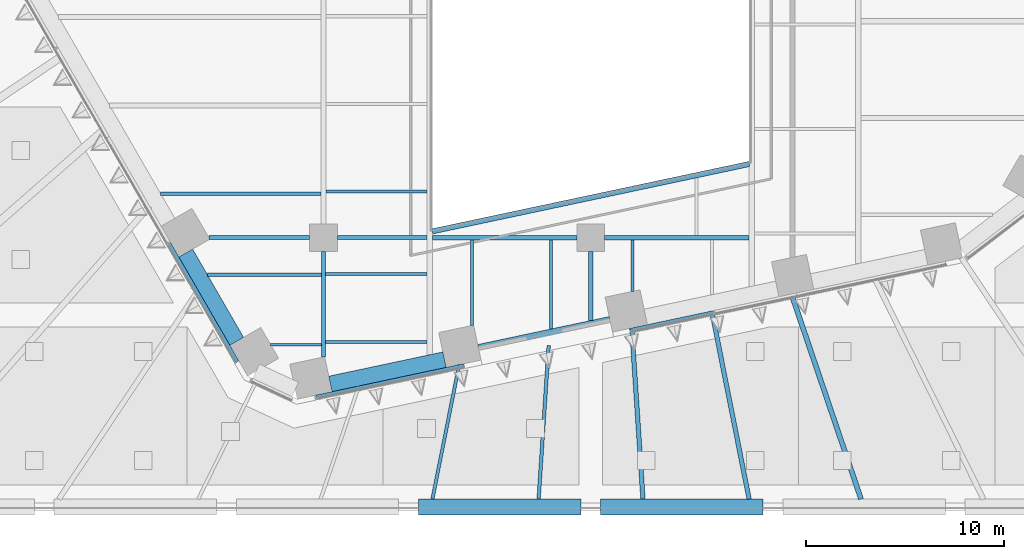
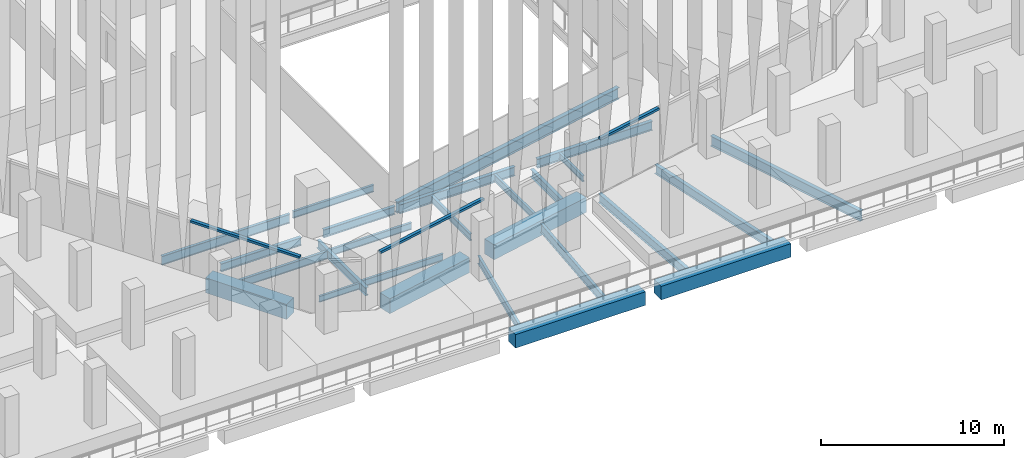
# One storey, part 4 of 51: 26 beams, 3 members, 2 elements without a shape of their own.
"""IFC4 building model written with IfcOpenShell, lengths in metres."""

from ifc_helpers import new_model, si_unit, direction, frame, origin, origin_2d, place, context, subcontext, project, spatial, rectangle, i_section, extrude, material, layer, layer_set, material_profile, profile_set, type_object, element, aggregate, save


model = new_model("IFC4")

# Units and contexts
model_context = context("Model", 3, precision=1e-05, world=origin(), true_north=direction((0.0, 1.0)))
body_context = subcontext(model_context, "Body", "Model", "MODEL_VIEW")
ifc_project = project(units=[si_unit("LENGTHUNIT", "METRE"), si_unit("AREAUNIT", "SQUARE_METRE"), si_unit("VOLUMEUNIT", "CUBIC_METRE"), si_unit("PLANEANGLEUNIT", "RADIAN"), si_unit("MASSUNIT", "GRAM", prefix="KILO")], contexts=[model_context])

# Site, building, storey
site_placement = place(None, origin())
site = spatial("IfcSite", under=ifc_project, at=site_placement, CompositionType="ELEMENT")
building_placement = place(site_placement, origin())
building = spatial("IfcBuilding", under=site, at=building_placement, Name="Isthmus Gate Tower", CompositionType="ELEMENT")
storey_placement = place(building_placement, frame((0.0, 0.0, 36.0)))
storey = spatial("IfcBuildingStorey", under=building, at=storey_placement, Name="L06", CompositionType="ELEMENT", Elevation=36.0)

# Curtain wall, member
ifc_material_1 = material(Name="Aluminium, pale champagne anodised", Category="aluminium")
ifc_layer = layer(ifc_material_1, 0.199951171875)
ifc_layer_set = layer_set([ifc_layer], Name="CW-1 UNITISED CURTAIN WALL 200 DEEP")
curtain_wall_type = type_object("IfcCurtainWallType", Name="CW-1 UNITISED CURTAIN WALL 200 DEEP", PredefinedType="NOTDEFINED", material=ifc_layer_set)
curtain_wall_1_placement = place(storey_placement, origin())
curtain_wall_1 = element("IfcCurtainWall", 1, at=curtain_wall_1_placement, inside=storey, type_object=curtain_wall_type, Name="CW-1 SW L06", PredefinedType="NOTDEFINED")
ifc_material_2 = material(Name="Aluminium, pale champagne anodised", Category="aluminium")
ifc_material_profile_1 = material_profile(ifc_material_2, rectangle(XDim=0.199951171875, YDim=0.14990234375, at=origin_2d()), Name="200x150")
ifc_profile_set_1 = profile_set([ifc_material_profile_1], Name="Aluminium, pale champagne anodised")
member_type = type_object("IfcMemberType", Name="CW-1 TRANSOM 200 X 150", PredefinedType="USERDEFINED", material=ifc_profile_set_1)
member_1_placement = place(storey_placement, frame((-21.302978515625, -27.302001953125, 3.574951171875), z_axis=(0.499980345582, -0.86603675097, 0.0), x_axis=(0.86603675097, 0.499980345582, 0.0)))
member_1 = element("IfcMember", 2, at=member_1_placement, type_object=member_type, Name="CW-1 transom", ObjectType="TRANSOM", PredefinedType="USERDEFINED", context=body_context, shape_type="SweptSolid", body=[
    extrude(rectangle(XDim=0.199951171875, YDim=0.14990234375, at=origin_2d()), origin(), (0.0, 0.0, 1.0), 6.883544921875),
])
aggregate(curtain_wall_1, [member_1])

# Curtain wall, members
curtain_wall_2_placement = place(storey_placement, origin())
curtain_wall_2 = element("IfcCurtainWall", 3, at=curtain_wall_2_placement, inside=storey, type_object=curtain_wall_type, Name="CW-1 S L06", PredefinedType="NOTDEFINED")
member_2_placement = place(storey_placement, frame((-13.86572265625, -35.049560546875, 3.574951171875), z_axis=(0.978149009137, 0.20790506469, 0.0), x_axis=(-0.20790506469, 0.978149009137, 0.0)))
member_2 = element("IfcMember", 4, at=member_2_placement, type_object=member_type, Name="CW-1 transom", ObjectType="TRANSOM", PredefinedType="USERDEFINED", context=body_context, shape_type="SweptSolid", body=[
    extrude(rectangle(XDim=0.199951171875, YDim=0.14990234375, at=origin_2d()), origin(), (0.0, 0.0, 1.0), 7.62939453125),
])
member_3_placement = place(storey_placement, frame((1.99853515625, -31.677490234375, 3.574951171875), z_axis=(0.97813890815, 0.207952582007, 0.0), x_axis=(-0.207952582007, 0.97813890815, 0.0)))
member_3 = element("IfcMember", 5, at=member_3_placement, type_object=member_type, Name="CW-1 transom", ObjectType="TRANSOM", PredefinedType="USERDEFINED", context=body_context, shape_type="SweptSolid", body=[
    extrude(rectangle(XDim=0.199951171875, YDim=0.14990234375, at=origin_2d()), origin(), (0.0, 0.0, 1.0), 4.294677734375),
])
aggregate(curtain_wall_2, [member_2, member_3])

# Beams
ifc_material_3 = material(Name="Concrete f'c 70 MPa", Category="concrete")
ifc_material_profile_2 = material_profile(ifc_material_3, rectangle(XDim=0.800048828125, YDim=0.89990234375, at=origin_2d()), Name="RC 800X900")
ifc_profile_set_2 = profile_set([ifc_material_profile_2], Name="Concrete f'c 70 MPa")
beam_type_1 = type_object("IfcBeamType", Name="RC EDGE BEAM 800 X 900", PredefinedType="BEAM", material=ifc_profile_set_2)
for number, where, z_axis, x_axis, name in (
    (6, (8.699951171875, -40.60009765625, -0.60009765625), (-1.0, 0.0, 0.0), (0.0, -1.0, 0.0), "str-edgebeam-L06-32"),
    (7, (-0.5, -40.60009765625, -0.60009765625), (-1.0, 0.0, 0.0), (0.0, -1.0, 0.0), "str-edgebeam-L06-33"),
):
    element("IfcBeam", number, at=place(storey_placement, frame(where, z_axis=z_axis, x_axis=x_axis)), inside=storey, type_object=beam_type_1, Name=name, PredefinedType="BEAM", context=body_context, shape_type="SweptSolid", body=[
        extrude(rectangle(XDim=0.800048828125, YDim=0.89990234375, at=origin_2d()), origin(), (0.0, 0.0, 1.0), 8.199951171875),
    ])
ifc_material_4 = material(Name="Concrete f'c 70 MPa", Category="concrete")
ifc_material_profile_3 = material_profile(ifc_material_4, rectangle(XDim=0.800048828125, YDim=1.0, at=origin_2d()), Name="RC 800X1000")
ifc_profile_set_3 = profile_set([ifc_material_profile_3], Name="Concrete f'c 70 MPa")
beam_type_2 = type_object("IfcBeamType", Name="RC SPANDREL 800 X 1000", PredefinedType="SPANDREL", material=ifc_profile_set_3)
beam_1_placement = place(storey_placement, frame((1.01416015625, -31.37548828125, -0.5), z_axis=(-0.978145779981, -0.207920256603, 0.0), x_axis=(0.207920256603, -0.978145779981, 0.0)))
element("IfcBeam", 8, at=beam_1_placement, inside=storey, type_object=beam_type_2, Name="str-spandrel-L06-12", PredefinedType="SPANDREL", context=body_context, shape_type="SweptSolid", body=[
    extrude(rectangle(XDim=0.800048828125, YDim=1.0, at=origin_2d()), origin(), (0.0, 0.0, 1.0), 6.789306640625),
])
beam_2_placement = place(storey_placement, frame((-7.387451171875, -33.161376953125, -0.5), z_axis=(-0.978149894464, -0.207900899374, 0.0), x_axis=(0.207900899374, -0.978149894464, 0.0)))
element("IfcBeam", 9, at=beam_2_placement, inside=storey, type_object=beam_type_2, Name="str-spandrel-L06-13", PredefinedType="SPANDREL", context=body_context, shape_type="SweptSolid", body=[
    extrude(rectangle(XDim=0.800048828125, YDim=1.0, at=origin_2d()), origin(), (0.0, 0.0, 1.0), 5.88916015625),
])
beam_3_placement = place(storey_placement, frame((-17.878173828125, -32.23388671875, -0.5), z_axis=(-0.500044296292, 0.865999827798, 0.0), x_axis=(-0.865999827798, -0.500044296292, 0.0)))
element("IfcBeam", 10, at=beam_3_placement, inside=storey, type_object=beam_type_2, Name="str-spandrel-L06-15", PredefinedType="SPANDREL", context=body_context, shape_type="SweptSolid", body=[
    extrude(rectangle(XDim=0.800048828125, YDim=1.0, at=origin_2d()), origin(), (0.0, 0.0, 1.0), 5.1435546875),
])
ifc_material_5 = material(Name="Structural steel ASTM A992 Gr 50", Category="steel")
ifc_material_profile_4 = material_profile(ifc_material_5, i_section(OverallWidth=0.1396484375, OverallDepth=0.4033203125, WebThickness=0.00634765625, FlangeThickness=0.010986328125, at=origin_2d()), Name="W16X31")
ifc_profile_set_4 = profile_set([ifc_material_profile_4], Name="Structural steel ASTM A992 Gr 50")
beam_type_3 = type_object("IfcBeamType", Name="STEEL FLOOR BEAM W16X31", PredefinedType="JOIST", material=ifc_profile_set_4)
beam_4_placement = place(storey_placement, frame((-16.162353515625, -32.406005859375, -0.3515625), z_axis=(1.0, 0.0, 0.0), x_axis=(0.0, 1.0, 0.0)))
element("IfcBeam", 11, at=beam_4_placement, inside=storey, type_object=beam_type_3, Name="str-beam-L06-09-00", PredefinedType="JOIST", context=body_context, shape_type="SweptSolid", body=[
    extrude(i_section(OverallWidth=0.1396484375, OverallDepth=0.4033203125, WebThickness=0.00634765625, FlangeThickness=0.010986328125, at=origin_2d()), origin(), (0.0, 0.0, 1.0), 2.5576171875),
])
beam_5_placement = place(storey_placement, frame((2.111572265625, -29.7109375, -0.3515625), z_axis=(0.0, 1.0, 0.0), x_axis=(-1.0, 0.0, 0.0)))
element("IfcBeam", 12, at=beam_5_placement, inside=storey, type_object=beam_type_3, Name="str-beam-L06-18-00", PredefinedType="JOIST", context=body_context, shape_type="SweptSolid", body=[
    extrude(i_section(OverallWidth=0.1396484375, OverallDepth=0.4033203125, WebThickness=0.00634765625, FlangeThickness=0.010986328125, at=origin_2d()), origin(), (0.0, 0.0, 1.0), 2.5966796875),
])
ifc_material_6 = material(Name="Structural steel ASTM A992 Gr 50", Category="steel")
ifc_material_profile_5 = material_profile(ifc_material_6, i_section(OverallWidth=0.15234375, OverallDepth=0.45068359375, WebThickness=0.0078125, FlangeThickness=0.010986328125, at=origin_2d()), Name="W18X35")
ifc_profile_set_5 = profile_set([ifc_material_profile_5], Name="Structural steel ASTM A992 Gr 50")
beam_type_4 = type_object("IfcBeamType", Name="STEEL FLOOR BEAM W18X35", PredefinedType="JOIST", material=ifc_profile_set_5)
for number, where, z_axis, x_axis, name in (
    (13, (-13.395263671875, -32.27197265625, -0.37548828125), (1.0, 0.0, 0.0), (0.0, 1.0, 0.0), "str-beam-L06-10-00"),
    (14, (-13.395263671875, -28.8271484375, -0.37548828125), (1.0, 0.0, 0.0), (0.0, 1.0, 0.0), "str-beam-L06-10-01"),
):
    element("IfcBeam", number, at=place(storey_placement, frame(where, z_axis=z_axis, x_axis=x_axis)), inside=storey, type_object=beam_type_4, Name=name, PredefinedType="JOIST", context=body_context, shape_type="SweptSolid", body=[
        extrude(i_section(OverallWidth=0.15234375, OverallDepth=0.45068359375, WebThickness=0.0078125, FlangeThickness=0.010986328125, at=origin_2d()), origin(), (0.0, 0.0, 1.0), 5.128662109375),
    ])
beam_6_placement = place(storey_placement, frame((-13.3681640625, -24.68017578125, -0.37548828125), z_axis=(1.0, 0.0, 0.0), x_axis=(0.0, 1.0, 0.0)))
element("IfcBeam", 15, at=beam_6_placement, inside=storey, type_object=beam_type_4, Name="str-beam-L06-12-00", PredefinedType="JOIST", context=body_context, shape_type="SweptSolid", body=[
    extrude(i_section(OverallWidth=0.15234375, OverallDepth=0.45068359375, WebThickness=0.0078125, FlangeThickness=0.010986328125, at=origin_2d()), origin(), (0.0, 0.0, 1.0), 5.1015625),
])
beam_7_placement = place(storey_placement, frame((-6.0, -31.43505859375, -0.37548828125), z_axis=(0.0, 1.0, 0.0), x_axis=(-1.0, 0.0, 0.0)))
element("IfcBeam", 16, at=beam_7_placement, inside=storey, type_object=beam_type_4, Name="str-beam-L06-15-00", PredefinedType="JOIST", context=body_context, shape_type="SweptSolid", body=[
    extrude(i_section(OverallWidth=0.15234375, OverallDepth=0.45068359375, WebThickness=0.0078125, FlangeThickness=0.010986328125, at=origin_2d()), origin(), (0.0, 0.0, 1.0), 4.32080078125),
])
beam_8_placement = place(storey_placement, frame((-2.0, -31.607177734375, -0.37548828125), z_axis=(0.0, 1.0, 0.0), x_axis=(-1.0, 0.0, 0.0)))
element("IfcBeam", 17, at=beam_8_placement, inside=storey, type_object=beam_type_4, Name="str-beam-L06-15-01", PredefinedType="JOIST", context=body_context, shape_type="SweptSolid", body=[
    extrude(i_section(OverallWidth=0.15234375, OverallDepth=0.45068359375, WebThickness=0.0078125, FlangeThickness=0.010986328125, at=origin_2d()), origin(), (0.0, 0.0, 1.0), 4.492919921875),
])
ifc_material_7 = material(Name="Structural steel ASTM A992 Gr 50", Category="steel")
ifc_material_profile_6 = material_profile(ifc_material_7, i_section(OverallWidth=0.1650390625, OverallDepth=0.52392578125, WebThickness=0.009521484375, FlangeThickness=0.010986328125, at=origin_2d()), Name="W21X44")
ifc_profile_set_6 = profile_set([ifc_material_profile_6], Name="Structural steel ASTM A992 Gr 50")
beam_type_5 = type_object("IfcBeamType", Name="STEEL FLOOR BEAM W21X44", PredefinedType="JOIST", material=ifc_profile_set_6)
beam_9_placement = place(storey_placement, frame((-19.357421875, -28.871826171875, -0.411865234375), z_axis=(1.0, 0.0, 0.0), x_axis=(0.0, 1.0, 0.0)))
element("IfcBeam", 18, at=beam_9_placement, inside=storey, type_object=beam_type_5, Name="str-beam-L06-09-01", PredefinedType="JOIST", context=body_context, shape_type="SweptSolid", body=[
    extrude(i_section(OverallWidth=0.1650390625, OverallDepth=0.52392578125, WebThickness=0.009521484375, FlangeThickness=0.010986328125, at=origin_2d()), origin(), (0.0, 0.0, 1.0), 5.752685546875),
])
ifc_material_8 = material(Name="Structural steel ASTM A992 Gr 50", Category="steel")
ifc_material_profile_7 = material_profile(ifc_material_8, i_section(OverallWidth=0.177734375, OverallDepth=0.60009765625, WebThickness=0.009521484375, FlangeThickness=0.0126953125, at=origin_2d()), Name="W24X55")
ifc_profile_set_7 = profile_set([ifc_material_profile_7], Name="Structural steel ASTM A992 Gr 50")
beam_type_6 = type_object("IfcBeamType", Name="STEEL FLOOR BEAM W24X55", PredefinedType="JOIST", material=ifc_profile_set_7)
beam_10_placement = place(storey_placement, frame((-21.724365234375, -24.772216796875, -0.449951171875), z_axis=(1.0, 0.0, 0.0), x_axis=(0.0, 1.0, 0.0)))
element("IfcBeam", 19, at=beam_10_placement, inside=storey, type_object=beam_type_6, Name="str-beam-L06-05-00", PredefinedType="JOIST", context=body_context, shape_type="SweptSolid", body=[
    extrude(i_section(OverallWidth=0.177734375, OverallDepth=0.60009765625, WebThickness=0.009521484375, FlangeThickness=0.0126953125, at=origin_2d()), origin(), (0.0, 0.0, 1.0), 8.092529296875),
])
ifc_material_9 = material(Name="Structural steel ASTM A992 Gr 50", Category="steel")
ifc_material_profile_8 = material_profile(ifc_material_9, i_section(OverallWidth=0.20947265625, OverallDepth=0.533447265625, WebThickness=0.009521484375, FlangeThickness=0.015869140625, at=origin_2d()), Name="W21X62")
ifc_profile_set_8 = profile_set([ifc_material_profile_8], Name="Structural steel ASTM A992 Gr 50")
beam_type_7 = type_object("IfcBeamType", Name="STEEL GIRDER W21X62", PredefinedType="BEAM", material=ifc_profile_set_8)
beam_11_placement = place(storey_placement, frame((-19.283447265625, -27.0, -0.416748046875), z_axis=(1.0, 0.0, 0.0), x_axis=(0.0, 1.0, 0.0)))
element("IfcBeam", 20, at=beam_11_placement, inside=storey, type_object=beam_type_7, Name="str-girder-L06-01", PredefinedType="BEAM", context=body_context, shape_type="SweptSolid", body=[
    extrude(i_section(OverallWidth=0.20947265625, OverallDepth=0.533447265625, WebThickness=0.009521484375, FlangeThickness=0.015869140625, at=origin_2d()), origin(), (0.0, 0.0, 1.0), 5.08349609375),
])
beam_12_placement = place(storey_placement, frame((-12.800048828125, -27.0, -0.416748046875), z_axis=(1.0, 0.0, 0.0), x_axis=(0.0, 1.0, 0.0)))
element("IfcBeam", 21, at=beam_12_placement, inside=storey, type_object=beam_type_7, Name="str-girder-L06-02", PredefinedType="BEAM", context=body_context, shape_type="SweptSolid", body=[
    extrude(i_section(OverallWidth=0.20947265625, OverallDepth=0.533447265625, WebThickness=0.009521484375, FlangeThickness=0.015869140625, at=origin_2d()), origin(), (0.0, 0.0, 1.0), 4.533447265625),
])
beam_13_placement = place(storey_placement, frame((-13.5, -33.029296875, -0.416748046875), z_axis=(0.0, 1.0, 0.0), x_axis=(-1.0, 0.0, 0.0)))
element("IfcBeam", 22, at=beam_13_placement, inside=storey, type_object=beam_type_7, Name="str-girder-L06-23", PredefinedType="BEAM", context=body_context, shape_type="SweptSolid", body=[
    extrude(i_section(OverallWidth=0.20947265625, OverallDepth=0.533447265625, WebThickness=0.009521484375, FlangeThickness=0.015869140625, at=origin_2d()), origin(), (0.0, 0.0, 1.0), 5.329345703125),
])
beam_14_placement = place(storey_placement, frame((0.0, -31.18212890625, -0.416748046875), z_axis=(0.0, 1.0, 0.0), x_axis=(-1.0, 0.0, 0.0)))
element("IfcBeam", 23, at=beam_14_placement, inside=storey, type_object=beam_type_7, Name="str-girder-L06-28", PredefinedType="BEAM", context=body_context, shape_type="SweptSolid", body=[
    extrude(i_section(OverallWidth=0.20947265625, OverallDepth=0.533447265625, WebThickness=0.009521484375, FlangeThickness=0.015869140625, at=origin_2d()), origin(), (0.0, 0.0, 1.0), 3.482177734375),
])
ifc_material_10 = material(Name="Structural steel ASTM A992 Gr 50", Category="steel")
ifc_material_profile_9 = material_profile(ifc_material_10, i_section(OverallWidth=0.228515625, OverallDepth=0.603271484375, WebThickness=0.010986328125, FlangeThickness=0.014404296875, at=origin_2d()), Name="W24X68")
ifc_profile_set_9 = profile_set([ifc_material_profile_9], Name="Structural steel ASTM A992 Gr 50")
beam_type_8 = type_object("IfcBeamType", Name="STEEL GIRDER W24X68", PredefinedType="BEAM", material=ifc_profile_set_9)
for number, where, z_axis, x_axis, name in (
    (24, (-8.0, -27.0, -0.45166015625), (1.0, 0.0, 0.0), (0.0, 1.0, 0.0), "str-girder-L06-03"),
    (25, (0.699951171875, -27.0, -0.45166015625), (1.0, 0.0, 0.0), (0.0, 1.0, 0.0), "str-girder-L06-04"),
):
    element("IfcBeam", number, at=place(storey_placement, frame(where, z_axis=z_axis, x_axis=x_axis)), inside=storey, type_object=beam_type_8, Name=name, PredefinedType="BEAM", context=body_context, shape_type="SweptSolid", body=[
        extrude(i_section(OverallWidth=0.228515625, OverallDepth=0.603271484375, WebThickness=0.010986328125, FlangeThickness=0.014404296875, at=origin_2d()), origin(), (0.0, 0.0, 1.0), 7.300048828125),
    ])
ifc_material_11 = material(Name="Structural steel ASTM A992 Gr 50", Category="steel")
ifc_material_profile_10 = material_profile(ifc_material_11, i_section(OverallWidth=0.1650390625, OverallDepth=0.52392578125, WebThickness=0.009521484375, FlangeThickness=0.010986328125, at=origin_2d()), Name="W21X44")
ifc_profile_set_10 = profile_set([ifc_material_profile_10], Name="Structural steel ASTM A992 Gr 50")
beam_type_9 = type_object("IfcBeamType", Name="STEEL LEDGE BEAM W21X44", PredefinedType="JOIST", material=ifc_profile_set_10)
beam_15_placement = place(storey_placement, frame((-6.646240234375, -33.41259765625, -0.411865234375), z_axis=(-0.195091586965, -0.980785028789, 0.0), x_axis=(0.980785028789, -0.195091586965, 0.0)))
element("IfcBeam", 26, at=beam_15_placement, inside=storey, type_object=beam_type_9, Name="str-ringbeam-L06-00-35", PredefinedType="JOIST", context=body_context, shape_type="SweptSolid", body=[
    extrude(i_section(OverallWidth=0.1650390625, OverallDepth=0.52392578125, WebThickness=0.009521484375, FlangeThickness=0.010986328125, at=origin_2d()), origin(), (0.0, 0.0, 1.0), 6.92041015625),
])
ifc_material_12 = material(Name="Structural steel ASTM A992 Gr 50", Category="steel")
ifc_material_profile_11 = material_profile(ifc_material_12, i_section(OverallWidth=0.177734375, OverallDepth=0.60009765625, WebThickness=0.009521484375, FlangeThickness=0.0126953125, at=origin_2d()), Name="W24X55")
ifc_profile_set_11 = profile_set([ifc_material_profile_11], Name="Structural steel ASTM A992 Gr 50")
beam_type_10 = type_object("IfcBeamType", Name="STEEL LEDGE BEAM W24X55", PredefinedType="JOIST", material=ifc_profile_set_11)
beam_16_placement = place(storey_placement, frame((-2.126953125, -32.4521484375, -0.449951171875), z_axis=(-0.065402446931, -0.997858967959, 0.0), x_axis=(0.997858967959, -0.065402446931, 0.0)))
element("IfcBeam", 27, at=beam_16_placement, inside=storey, type_object=beam_type_10, Name="str-ringbeam-L06-00-36", PredefinedType="JOIST", context=body_context, shape_type="SweptSolid", body=[
    extrude(i_section(OverallWidth=0.177734375, OverallDepth=0.60009765625, WebThickness=0.009521484375, FlangeThickness=0.0126953125, at=origin_2d()), origin(), (0.0, 0.0, 1.0), 7.764404296875),
])
ifc_material_13 = material(Name="Structural steel ASTM A992 Gr 50", Category="steel")
ifc_material_profile_12 = material_profile(ifc_material_13, i_section(OverallWidth=0.228515625, OverallDepth=0.603271484375, WebThickness=0.010986328125, FlangeThickness=0.014404296875, at=origin_2d()), Name="W24X68")
ifc_profile_set_12 = profile_set([ifc_material_profile_12], Name="Structural steel ASTM A992 Gr 50")
beam_type_11 = type_object("IfcBeamType", Name="STEEL LEDGE BEAM W24X68", PredefinedType="JOIST", material=ifc_profile_set_12)
beam_17_placement = place(storey_placement, frame((2.068603515625, -31.560302734375, -0.45166015625), z_axis=(0.065390436646, -0.997859755073, 0.0), x_axis=(0.997859755073, 0.065390436646, 0.0)))
element("IfcBeam", 28, at=beam_17_placement, inside=storey, type_object=beam_type_11, Name="str-ringbeam-L06-00-37", PredefinedType="JOIST", context=body_context, shape_type="SweptSolid", body=[
    extrude(i_section(OverallWidth=0.228515625, OverallDepth=0.603271484375, WebThickness=0.010986328125, FlangeThickness=0.014404296875, at=origin_2d()), origin(), (0.0, 0.0, 1.0), 8.658203125),
])
beam_18_placement = place(storey_placement, frame((6.10693359375, -30.701904296875, -0.45166015625), z_axis=(0.195102768964, -0.980782804469, 0.0), x_axis=(0.980782804469, 0.195102768964, 0.0)))
element("IfcBeam", 29, at=beam_18_placement, inside=storey, type_object=beam_type_11, Name="str-ringbeam-L06-00-38", PredefinedType="JOIST", context=body_context, shape_type="SweptSolid", body=[
    extrude(i_section(OverallWidth=0.228515625, OverallDepth=0.603271484375, WebThickness=0.010986328125, FlangeThickness=0.014404296875, at=origin_2d()), origin(), (0.0, 0.0, 1.0), 9.68408203125),
])
ifc_material_14 = material(Name="Structural steel ASTM A992 Gr 50", Category="steel")
ifc_material_profile_13 = material_profile(ifc_material_14, i_section(OverallWidth=0.25390625, OverallDepth=0.679443359375, WebThickness=0.010986328125, FlangeThickness=0.015869140625, at=origin_2d()), Name="W27X84")
ifc_profile_set_13 = profile_set([ifc_material_profile_13], Name="Structural steel ASTM A992 Gr 50")
beam_type_12 = type_object("IfcBeamType", Name="STEEL LEDGE BEAM W27X84", PredefinedType="JOIST", material=ifc_profile_set_13)
beam_19_placement = place(storey_placement, frame((10.131591796875, -29.846435546875, -0.48974609375), z_axis=(0.321427928396, -0.946934045669, 0.0), x_axis=(0.946934045669, 0.321427928396, 0.0)))
element("IfcBeam", 30, at=beam_19_placement, inside=storey, type_object=beam_type_12, Name="str-ringbeam-L06-00-39", PredefinedType="JOIST", context=body_context, shape_type="SweptSolid", body=[
    extrude(i_section(OverallWidth=0.25390625, OverallDepth=0.679443359375, WebThickness=0.010986328125, FlangeThickness=0.015869140625, at=origin_2d()), origin(), (0.0, 0.0, 1.0), 10.933837890625),
])
ifc_material_15 = material(Name="Structural steel ASTM A992 Gr 50", Category="steel")
ifc_material_profile_14 = material_profile(ifc_material_15, i_section(OverallWidth=0.2666015625, OverallDepth=0.7587890625, WebThickness=0.014404296875, FlangeThickness=0.01904296875, at=origin_2d()), Name="W30X108")
ifc_profile_set_14 = profile_set([ifc_material_profile_14], Name="Structural steel ASTM A992 Gr 50")
beam_type_13 = type_object("IfcBeamType", Name="STEEL TRIMMER W30X108", PredefinedType="BEAM", material=ifc_profile_set_14)
beam_20_placement = place(storey_placement, frame((-8.0, -26.680419921875, -0.529296875), z_axis=(0.978147924985, 0.20791016533, 0.0), x_axis=(-0.20791016533, 0.978147924985, 0.0)))
element("IfcBeam", 31, at=beam_20_placement, inside=storey, type_object=beam_type_13, Name="str-trimmer-L06-03", PredefinedType="BEAM", context=body_context, shape_type="SweptSolid", body=[
    extrude(i_section(OverallWidth=0.2666015625, OverallDepth=0.7587890625, WebThickness=0.014404296875, FlangeThickness=0.01904296875, at=origin_2d()), origin(), (0.0, 0.0, 1.0), 16.357421875),
])

save(model, "model.ifc")
